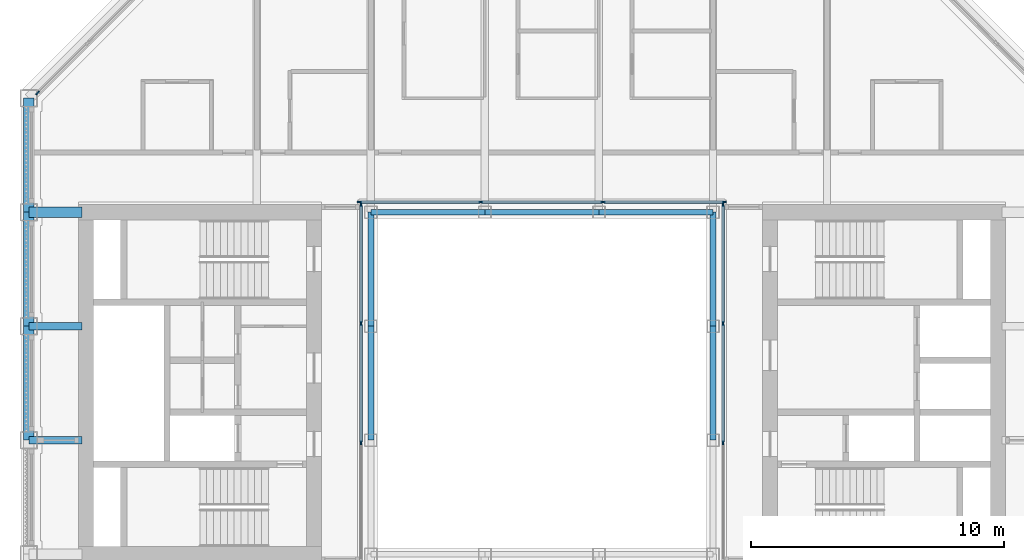
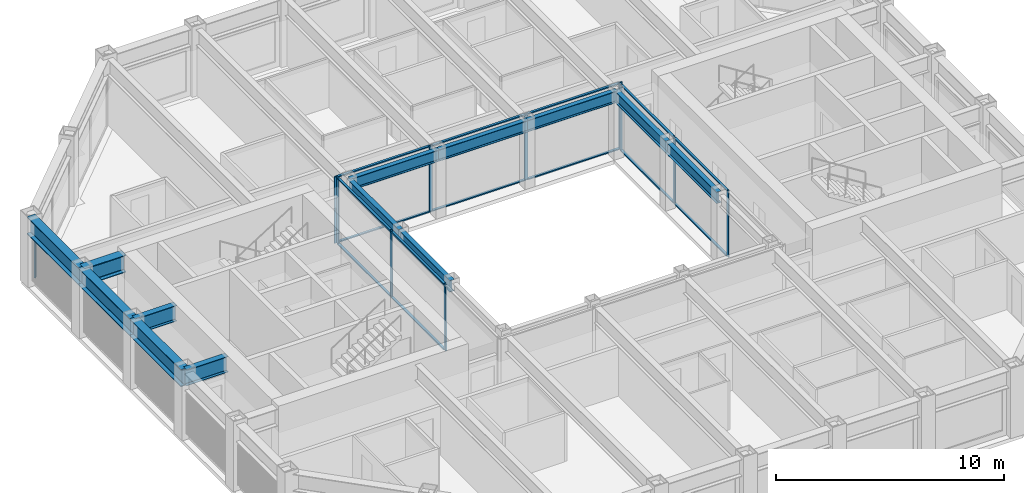
# One storey, part 4 of 17: 25 members, 13 beams, 4 elements without a shape of their own.
"""IFC4 building model written with IfcOpenShell, lengths in metres."""

from ifc_helpers import new_model, si_unit, direction, frame, origin, origin_2d, place, context, subcontext, project, spatial, rectangle, i_section, extrude, material, material_profile, profile_set, type_object, element, aggregate, save


model = new_model("IFC4")

# Units and contexts
model_context = context("Model", 3, precision=1e-05, world=origin(), true_north=direction((0.0, 1.0)))
body_context = subcontext(model_context, "Body", "Model", "MODEL_VIEW")
ifc_project = project(units=[si_unit("LENGTHUNIT", "METRE"), si_unit("AREAUNIT", "SQUARE_METRE"), si_unit("VOLUMEUNIT", "CUBIC_METRE"), si_unit("PLANEANGLEUNIT", "RADIAN"), si_unit("MASSUNIT", "GRAM", prefix="KILO")], contexts=[model_context])

# Site, building, storey
site_placement = place(None, origin())
site = spatial("IfcSite", under=ifc_project, at=site_placement, CompositionType="ELEMENT")
building_placement = place(site_placement, origin())
building = spatial("IfcBuilding", under=site, at=building_placement, Name="Msasa Ring Tower", CompositionType="ELEMENT")
storey_placement = place(building_placement, frame((0.0, 0.0, 238.300048828125)))
storey = spatial("IfcBuildingStorey", under=building, at=storey_placement, Name="L62", CompositionType="ELEMENT", Elevation=238.300048828125)

# Curtain wall, member
ifc_material_1 = material(Name="Aluminium curtain wall with clear glass", Category="aluminium")
curtain_wall_type_1 = type_object("IfcCurtainWallType", Name="CW-C CHAMFER CORNER CURTAIN WALL", PredefinedType="NOTDEFINED", material=ifc_material_1)
curtain_wall_1_placement = place(storey_placement, origin())
curtain_wall_1 = element("IfcCurtainWall", 1, at=curtain_wall_1_placement, inside=storey, type_object=curtain_wall_type_1, Name="Chamfer corner curtain wall NW L62", PredefinedType="NOTDEFINED")
ifc_material_2 = material(Name="Aluminium mullion", Category="aluminium")
ifc_material_profile_1 = material_profile(ifc_material_2, rectangle(XDim=0.06494140625, YDim=0.179931640625, at=origin_2d()), Name="AL 65x180")
ifc_profile_set_1 = profile_set([ifc_material_profile_1], Name="Aluminium mullion")
member_type_1 = type_object("IfcMemberType", Name="CW-C MULLION 65x180", PredefinedType="MULLION", material=ifc_profile_set_1)
member_1_placement = place(storey_placement, frame((-19.9052734375, 11.453369140625, 0.0), z_axis=(0.0, 0.0, 1.0), x_axis=(0.707106781187, -0.707106781187, 0.0)))
member_1 = element("IfcMember", 2, at=member_1_placement, type_object=member_type_1, Name="CW-C mullion 3", PredefinedType="MULLION", context=body_context, shape_type="SweptSolid", body=[
    extrude(rectangle(XDim=0.06494140625, YDim=0.179931640625, at=origin_2d()), origin(), (0.0, 0.0, 1.0), 2.62890625),
])
aggregate(curtain_wall_1, [member_1])

# Curtain wall, members
ifc_material_3 = material(Name="Aluminium curtain wall with clear glass", Category="aluminium")
curtain_wall_type_2 = type_object("IfcCurtainWallType", Name="CW-W LIGHT WELL CURTAIN WALL", PredefinedType="NOTDEFINED", material=ifc_material_3)
curtain_wall_2_placement = place(storey_placement, origin())
curtain_wall_2 = element("IfcCurtainWall", 3, at=curtain_wall_2_placement, inside=storey, type_object=curtain_wall_type_2, Name="Light well curtain wall N L62", PredefinedType="NOTDEFINED")
ifc_material_4 = material(Name="Aluminium mullion", Category="aluminium")
ifc_material_profile_2 = material_profile(ifc_material_4, rectangle(XDim=0.06005859375, YDim=0.159912109375, at=origin_2d()), Name="AL 60x160")
ifc_profile_set_2 = profile_set([ifc_material_profile_2], Name="Aluminium mullion")
member_type_2 = type_object("IfcMemberType", Name="CW-W MULLION 60x160", PredefinedType="MULLION", material=ifc_profile_set_2)
member_2_placement = place(storey_placement, frame((-7.199951171875, 7.14990234375, 0.0), z_axis=(0.0, 0.0, 1.0), x_axis=(0.0, 1.0, 0.0)))
member_2 = element("IfcMember", 4, at=member_2_placement, type_object=member_type_2, Name="CW-W mullion 1", PredefinedType="MULLION", context=body_context, shape_type="SweptSolid", body=[
    extrude(rectangle(XDim=0.06005859375, YDim=0.159912109375, at=origin_2d()), origin(), (0.0, 0.0, 1.0), 3.550048828125),
])
member_3_placement = place(storey_placement, frame((-2.409912109375, 7.14990234375, 0.0), z_axis=(0.0, 0.0, 1.0), x_axis=(0.0, 1.0, 0.0)))
member_3 = element("IfcMember", 5, at=member_3_placement, type_object=member_type_2, Name="CW-W mullion 2", PredefinedType="MULLION", context=body_context, shape_type="SweptSolid", body=[
    extrude(rectangle(XDim=0.06005859375, YDim=0.159912109375, at=origin_2d()), origin(), (0.0, 0.0, 1.0), 3.550048828125),
])
member_4_placement = place(storey_placement, frame((2.409912109375, 7.14990234375, 0.0), z_axis=(0.0, 0.0, 1.0), x_axis=(0.0, 1.0, 0.0)))
member_4 = element("IfcMember", 6, at=member_4_placement, type_object=member_type_2, Name="CW-W mullion 3", PredefinedType="MULLION", context=body_context, shape_type="SweptSolid", body=[
    extrude(rectangle(XDim=0.06005859375, YDim=0.159912109375, at=origin_2d()), origin(), (0.0, 0.0, 1.0), 3.550048828125),
])
member_5_placement = place(storey_placement, frame((7.199951171875, 7.14990234375, 0.0), z_axis=(0.0, 0.0, 1.0), x_axis=(0.0, 1.0, 0.0)))
member_5 = element("IfcMember", 7, at=member_5_placement, type_object=member_type_2, Name="CW-W mullion 4", PredefinedType="MULLION", context=body_context, shape_type="SweptSolid", body=[
    extrude(rectangle(XDim=0.06005859375, YDim=0.159912109375, at=origin_2d()), origin(), (0.0, 0.0, 1.0), 3.550048828125),
])

curtain_wall_3_placement = place(storey_placement, origin())
curtain_wall_3 = element("IfcCurtainWall", 8, at=curtain_wall_3_placement, inside=storey, type_object=curtain_wall_type_2, Name="Light well curtain wall E L62", PredefinedType="NOTDEFINED")
member_6_placement = place(storey_placement, frame((7.14990234375, -2.356689453125, 0.0), z_axis=(0.0, 0.0, 1.0), x_axis=(-1.0, 0.0, 0.0)))
member_6 = element("IfcMember", 9, at=member_6_placement, type_object=member_type_2, Name="CW-W mullion 2", PredefinedType="MULLION", context=body_context, shape_type="SweptSolid", body=[
    extrude(rectangle(XDim=0.06005859375, YDim=0.159912109375, at=origin_2d()), origin(), (0.0, 0.0, 1.0), 3.550048828125),
])
member_7_placement = place(storey_placement, frame((7.14990234375, 2.356689453125, 0.0), z_axis=(0.0, 0.0, 1.0), x_axis=(-1.0, 0.0, 0.0)))
member_7 = element("IfcMember", 10, at=member_7_placement, type_object=member_type_2, Name="CW-W mullion 3", PredefinedType="MULLION", context=body_context, shape_type="SweptSolid", body=[
    extrude(rectangle(XDim=0.06005859375, YDim=0.159912109375, at=origin_2d()), origin(), (0.0, 0.0, 1.0), 3.550048828125),
])
member_8_placement = place(storey_placement, frame((7.14990234375, 7.0400390625, 0.0), z_axis=(0.0, 0.0, 1.0), x_axis=(-1.0, 0.0, 0.0)))
member_8 = element("IfcMember", 11, at=member_8_placement, type_object=member_type_2, Name="CW-W mullion 4", PredefinedType="MULLION", context=body_context, shape_type="SweptSolid", body=[
    extrude(rectangle(XDim=0.06005859375, YDim=0.159912109375, at=origin_2d()), origin(), (0.0, 0.0, 1.0), 3.550048828125),
])

curtain_wall_4_placement = place(storey_placement, origin())
curtain_wall_4 = element("IfcCurtainWall", 12, at=curtain_wall_4_placement, inside=storey, type_object=curtain_wall_type_2, Name="Light well curtain wall W L62", PredefinedType="NOTDEFINED")
member_9_placement = place(storey_placement, frame((-7.14990234375, -2.356689453125, 0.0), z_axis=(0.0, 0.0, 1.0), x_axis=(-1.0, 0.0, 0.0)))
member_9 = element("IfcMember", 13, at=member_9_placement, type_object=member_type_2, Name="CW-W mullion 2", PredefinedType="MULLION", context=body_context, shape_type="SweptSolid", body=[
    extrude(rectangle(XDim=0.06005859375, YDim=0.159912109375, at=origin_2d()), origin(), (0.0, 0.0, 1.0), 3.550048828125),
])
member_10_placement = place(storey_placement, frame((-7.14990234375, 2.356689453125, 0.0), z_axis=(0.0, 0.0, 1.0), x_axis=(-1.0, 0.0, 0.0)))
member_10 = element("IfcMember", 14, at=member_10_placement, type_object=member_type_2, Name="CW-W mullion 3", PredefinedType="MULLION", context=body_context, shape_type="SweptSolid", body=[
    extrude(rectangle(XDim=0.06005859375, YDim=0.159912109375, at=origin_2d()), origin(), (0.0, 0.0, 1.0), 3.550048828125),
])
member_11_placement = place(storey_placement, frame((-7.14990234375, 7.0400390625, 0.0), z_axis=(0.0, 0.0, 1.0), x_axis=(-1.0, 0.0, 0.0)))
member_11 = element("IfcMember", 15, at=member_11_placement, type_object=member_type_2, Name="CW-W mullion 4", PredefinedType="MULLION", context=body_context, shape_type="SweptSolid", body=[
    extrude(rectangle(XDim=0.06005859375, YDim=0.159912109375, at=origin_2d()), origin(), (0.0, 0.0, 1.0), 3.550048828125),
])

# Member
ifc_material_5 = material(Name="Aluminium transom", Category="aluminium")
ifc_material_profile_3 = material_profile(ifc_material_5, rectangle(XDim=0.1201171875, YDim=0.06005859375, at=origin_2d()), Name="AL 60x120")
ifc_profile_set_3 = profile_set([ifc_material_profile_3], Name="Aluminium transom")
member_type_3 = type_object("IfcMemberType", Name="CW-W TRANSOM 60x120", PredefinedType="USERDEFINED", material=ifc_profile_set_3)
member_12_placement = place(storey_placement, frame((-7.169921875, 7.14990234375, 0.030029296875), z_axis=(1.0, 0.0, 0.0), x_axis=(0.0, 1.0, 0.0)))
member_12 = element("IfcMember", 16, at=member_12_placement, type_object=member_type_3, Name="CW-W transom 1.1", ObjectType="TRANSOM", PredefinedType="USERDEFINED", context=body_context, shape_type="SweptSolid", body=[
    extrude(rectangle(XDim=0.1201171875, YDim=0.06005859375, at=origin_2d()), origin(), (0.0, 0.0, 1.0), 4.72998046875),
])

member_13_placement = place(storey_placement, frame((-7.169921875, 7.14990234375, 3.52001953125), z_axis=(1.0, 0.0, 0.0), x_axis=(0.0, 1.0, 0.0)))
member_13 = element("IfcMember", 17, at=member_13_placement, type_object=member_type_3, Name="CW-W transom 1.2", ObjectType="TRANSOM", PredefinedType="USERDEFINED", context=body_context, shape_type="SweptSolid", body=[
    extrude(rectangle(XDim=0.1201171875, YDim=0.06005859375, at=origin_2d()), origin(), (0.0, 0.0, 1.0), 4.72998046875),
])

member_14_placement = place(storey_placement, frame((-2.3798828125, 7.14990234375, 0.030029296875), z_axis=(1.0, 0.0, 0.0), x_axis=(0.0, 1.0, 0.0)))
member_14 = element("IfcMember", 18, at=member_14_placement, type_object=member_type_3, Name="CW-W transom 2.1", ObjectType="TRANSOM", PredefinedType="USERDEFINED", context=body_context, shape_type="SweptSolid", body=[
    extrude(rectangle(XDim=0.1201171875, YDim=0.06005859375, at=origin_2d()), origin(), (0.0, 0.0, 1.0), 4.759765625),
])

member_15_placement = place(storey_placement, frame((-2.3798828125, 7.14990234375, 3.52001953125), z_axis=(1.0, 0.0, 0.0), x_axis=(0.0, 1.0, 0.0)))
member_15 = element("IfcMember", 19, at=member_15_placement, type_object=member_type_3, Name="CW-W transom 2.2", ObjectType="TRANSOM", PredefinedType="USERDEFINED", context=body_context, shape_type="SweptSolid", body=[
    extrude(rectangle(XDim=0.1201171875, YDim=0.06005859375, at=origin_2d()), origin(), (0.0, 0.0, 1.0), 4.759765625),
])

member_16_placement = place(storey_placement, frame((2.43994140625, 7.14990234375, 0.030029296875), z_axis=(1.0, 0.0, 0.0), x_axis=(0.0, 1.0, 0.0)))
member_16 = element("IfcMember", 20, at=member_16_placement, type_object=member_type_3, Name="CW-W transom 3.1", ObjectType="TRANSOM", PredefinedType="USERDEFINED", context=body_context, shape_type="SweptSolid", body=[
    extrude(rectangle(XDim=0.1201171875, YDim=0.06005859375, at=origin_2d()), origin(), (0.0, 0.0, 1.0), 4.72998046875),
])

member_17_placement = place(storey_placement, frame((2.43994140625, 7.14990234375, 3.52001953125), z_axis=(1.0, 0.0, 0.0), x_axis=(0.0, 1.0, 0.0)))
member_17 = element("IfcMember", 21, at=member_17_placement, type_object=member_type_3, Name="CW-W transom 3.2", ObjectType="TRANSOM", PredefinedType="USERDEFINED", context=body_context, shape_type="SweptSolid", body=[
    extrude(rectangle(XDim=0.1201171875, YDim=0.06005859375, at=origin_2d()), origin(), (0.0, 0.0, 1.0), 4.72998046875),
])

aggregate(curtain_wall_2, [member_2, member_3, member_4, member_5, member_12, member_13, member_14, member_15, member_16, member_17])

member_18_placement = place(storey_placement, frame((7.14990234375, -2.32666015625, 0.030029296875), z_axis=(0.0, 1.0, 0.0), x_axis=(-1.0, 0.0, 0.0)))
member_18 = element("IfcMember", 22, at=member_18_placement, type_object=member_type_3, Name="CW-W transom 2.1", ObjectType="TRANSOM", PredefinedType="USERDEFINED", context=body_context, shape_type="SweptSolid", body=[
    extrude(rectangle(XDim=0.1201171875, YDim=0.06005859375, at=origin_2d()), origin(), (0.0, 0.0, 1.0), 4.6533203125),
])

member_19_placement = place(storey_placement, frame((7.14990234375, -2.32666015625, 3.52001953125), z_axis=(0.0, 1.0, 0.0), x_axis=(-1.0, 0.0, 0.0)))
member_19 = element("IfcMember", 23, at=member_19_placement, type_object=member_type_3, Name="CW-W transom 2.2", ObjectType="TRANSOM", PredefinedType="USERDEFINED", context=body_context, shape_type="SweptSolid", body=[
    extrude(rectangle(XDim=0.1201171875, YDim=0.06005859375, at=origin_2d()), origin(), (0.0, 0.0, 1.0), 4.6533203125),
])

member_20_placement = place(storey_placement, frame((7.14990234375, 2.38671875, 0.030029296875), z_axis=(0.0, 1.0, 0.0), x_axis=(-1.0, 0.0, 0.0)))
member_20 = element("IfcMember", 24, at=member_20_placement, type_object=member_type_3, Name="CW-W transom 3.1", ObjectType="TRANSOM", PredefinedType="USERDEFINED", context=body_context, shape_type="SweptSolid", body=[
    extrude(rectangle(XDim=0.1201171875, YDim=0.06005859375, at=origin_2d()), origin(), (0.0, 0.0, 1.0), 4.623291015625),
])

member_21_placement = place(storey_placement, frame((7.14990234375, 2.38671875, 3.52001953125), z_axis=(0.0, 1.0, 0.0), x_axis=(-1.0, 0.0, 0.0)))
member_21 = element("IfcMember", 25, at=member_21_placement, type_object=member_type_3, Name="CW-W transom 3.2", ObjectType="TRANSOM", PredefinedType="USERDEFINED", context=body_context, shape_type="SweptSolid", body=[
    extrude(rectangle(XDim=0.1201171875, YDim=0.06005859375, at=origin_2d()), origin(), (0.0, 0.0, 1.0), 4.623291015625),
])

aggregate(curtain_wall_3, [member_6, member_7, member_8, member_18, member_19, member_20, member_21])

member_22_placement = place(storey_placement, frame((-7.14990234375, -2.32666015625, 0.030029296875), z_axis=(0.0, 1.0, 0.0), x_axis=(-1.0, 0.0, 0.0)))
member_22 = element("IfcMember", 26, at=member_22_placement, type_object=member_type_3, Name="CW-W transom 2.1", ObjectType="TRANSOM", PredefinedType="USERDEFINED", context=body_context, shape_type="SweptSolid", body=[
    extrude(rectangle(XDim=0.1201171875, YDim=0.06005859375, at=origin_2d()), origin(), (0.0, 0.0, 1.0), 4.6533203125),
])

member_23_placement = place(storey_placement, frame((-7.14990234375, -2.32666015625, 3.52001953125), z_axis=(0.0, 1.0, 0.0), x_axis=(-1.0, 0.0, 0.0)))
member_23 = element("IfcMember", 27, at=member_23_placement, type_object=member_type_3, Name="CW-W transom 2.2", ObjectType="TRANSOM", PredefinedType="USERDEFINED", context=body_context, shape_type="SweptSolid", body=[
    extrude(rectangle(XDim=0.1201171875, YDim=0.06005859375, at=origin_2d()), origin(), (0.0, 0.0, 1.0), 4.6533203125),
])

member_24_placement = place(storey_placement, frame((-7.14990234375, 2.38671875, 0.030029296875), z_axis=(0.0, 1.0, 0.0), x_axis=(-1.0, 0.0, 0.0)))
member_24 = element("IfcMember", 28, at=member_24_placement, type_object=member_type_3, Name="CW-W transom 3.1", ObjectType="TRANSOM", PredefinedType="USERDEFINED", context=body_context, shape_type="SweptSolid", body=[
    extrude(rectangle(XDim=0.1201171875, YDim=0.06005859375, at=origin_2d()), origin(), (0.0, 0.0, 1.0), 4.623291015625),
])

member_25_placement = place(storey_placement, frame((-7.14990234375, 2.38671875, 3.52001953125), z_axis=(0.0, 1.0, 0.0), x_axis=(-1.0, 0.0, 0.0)))
member_25 = element("IfcMember", 29, at=member_25_placement, type_object=member_type_3, Name="CW-W transom 3.2", ObjectType="TRANSOM", PredefinedType="USERDEFINED", context=body_context, shape_type="SweptSolid", body=[
    extrude(rectangle(XDim=0.1201171875, YDim=0.06005859375, at=origin_2d()), origin(), (0.0, 0.0, 1.0), 4.623291015625),
])

aggregate(curtain_wall_4, [member_9, member_10, member_11, member_22, member_23, member_24, member_25])

# Beams
ifc_material_6 = material(Name="Steel S355", Category="steel")
ifc_material_profile_4 = material_profile(ifc_material_6, i_section(OverallWidth=0.293701171875, OverallDepth=0.850830078125, WebThickness=0.01611328125, FlangeThickness=0.02685546875, FilletRadius=0.017822265625, at=origin_2d()), Name="UB 838x292x226")
ifc_profile_set_4 = profile_set([ifc_material_profile_4], Name="Steel S355")
beam_type_1 = type_object("IfcBeamType", Name="FB5 UB 838x292x226", PredefinedType="BEAM", material=ifc_profile_set_4)
for number, where, z_axis, x_axis, name in (
    (30, (-20.25, -2.25, 3.12451171875), (1.0, 0.0, 0.0), (0.0, 1.0, 0.0), "Floor beam W -2.25 under L63"),
    (31, (-20.25, 2.25, 3.12451171875), (1.0, 0.0, 0.0), (0.0, 1.0, 0.0), "Floor beam W +2.25 under L63"),
):
    element("IfcBeam", number, at=place(storey_placement, frame(where, z_axis=z_axis, x_axis=x_axis)), inside=storey, type_object=beam_type_1, Name=name, PredefinedType="BEAM", context=body_context, shape_type="SweptSolid", body=[
        extrude(i_section(OverallWidth=0.293701171875, OverallDepth=0.850830078125, WebThickness=0.01611328125, FlangeThickness=0.02685546875, FilletRadius=0.017822265625, at=origin_2d()), origin(), (0.0, 0.0, 1.0), 2.10009765625),
    ])
ifc_material_7 = material(Name="Steel S355", Category="steel")
ifc_material_profile_5 = material_profile(ifc_material_7, i_section(OverallWidth=0.42041015625, OverallDepth=0.9208984375, WebThickness=0.021484375, FlangeThickness=0.03662109375, FilletRadius=0.024169921875, at=origin_2d()), Name="UB 914x419x388")
ifc_profile_set_5 = profile_set([ifc_material_profile_5], Name="Steel S355")
beam_type_2 = type_object("IfcBeamType", Name="GB1 UB 914x419x388", PredefinedType="BEAM", material=ifc_profile_set_5)
beam_placement = place(storey_placement, frame((-18.14990234375, 6.75, 3.08935546875), z_axis=(-1.0, 0.0, 0.0), x_axis=(0.0, -1.0, 0.0)))
element("IfcBeam", 32, at=beam_placement, inside=storey, type_object=beam_type_2, Name="Girder W +6.75 under L63", PredefinedType="BEAM", context=body_context, shape_type="SweptSolid", body=[
    extrude(i_section(OverallWidth=0.42041015625, OverallDepth=0.9208984375, WebThickness=0.021484375, FlangeThickness=0.03662109375, FilletRadius=0.024169921875, at=origin_2d()), origin(), (0.0, 0.0, 1.0), 2.10009765625),
])
ifc_material_8 = material(Name="Steel S355", Category="steel")
ifc_material_profile_6 = material_profile(ifc_material_8, i_section(OverallWidth=0.230224609375, OverallDepth=0.6171875, WebThickness=0.01318359375, FlangeThickness=0.022216796875, FilletRadius=0.0126953125, at=origin_2d()), Name="UB 610x229x140")
ifc_profile_set_6 = profile_set([ifc_material_profile_6], Name="Steel S355")
beam_type_3 = type_object("IfcBeamType", Name="RB1 UB 610x229x140", PredefinedType="BEAM", material=ifc_profile_set_6)
for number, where, z_axis, x_axis, name in (
    (33, (6.75, -2.25, 3.241455078125), (0.0, 1.0, 0.0), (-1.0, 0.0, 0.0), "Inner ring beam IR+6.75-2.25 under L63"),
    (34, (6.75, 2.25, 3.241455078125), (0.0, 1.0, 0.0), (-1.0, 0.0, 0.0), "Inner ring beam IR+6.75+2.25 under L63"),
    (35, (6.75, 6.75, 3.241455078125), (-1.0, 0.0, 0.0), (0.0, -1.0, 0.0), "Inner ring beam IR+6.75+6.75 under L63"),
    (36, (2.25, 6.75, 3.241455078125), (-1.0, 0.0, 0.0), (0.0, -1.0, 0.0), "Inner ring beam IR+2.25+6.75 under L63"),
    (37, (-2.25, 6.75, 3.241455078125), (-1.0, 0.0, 0.0), (0.0, -1.0, 0.0), "Inner ring beam IR-2.25+6.75 under L63"),
    (38, (-6.75, 6.75, 3.241455078125), (0.0, -1.0, 0.0), (1.0, 0.0, 0.0), "Inner ring beam IR-6.75+6.75 under L63"),
    (39, (-6.75, 2.25, 3.241455078125), (0.0, -1.0, 0.0), (1.0, 0.0, 0.0), "Inner ring beam IR-6.75+2.25 under L63"),
):
    element("IfcBeam", number, at=place(storey_placement, frame(where, z_axis=z_axis, x_axis=x_axis)), inside=storey, type_object=beam_type_3, Name=name, PredefinedType="BEAM", context=body_context, shape_type="SweptSolid", body=[
        extrude(i_section(OverallWidth=0.230224609375, OverallDepth=0.6171875, WebThickness=0.01318359375, FlangeThickness=0.022216796875, FilletRadius=0.0126953125, at=origin_2d()), origin(), (0.0, 0.0, 1.0), 4.5),
    ])
ifc_material_9 = material(Name="Steel S355", Category="steel")
ifc_material_profile_7 = material_profile(ifc_material_9, i_section(OverallWidth=0.42041015625, OverallDepth=0.9208984375, WebThickness=0.021484375, FlangeThickness=0.03662109375, FilletRadius=0.024169921875, at=origin_2d()), Name="UB 914x419x388")
ifc_profile_set_7 = profile_set([ifc_material_profile_7], Name="Steel S355")
beam_type_4 = type_object("IfcBeamType", Name="SB1 UB 914x419x388", PredefinedType="SPANDREL", material=ifc_profile_set_7)
for number, where, z_axis, x_axis, name in (
    (40, (-20.25, 11.25, 3.08935546875), (0.0, -1.0, 0.0), (1.0, 0.0, 0.0), "Spandrel W+11.25 to W+6.75 under L63"),
    (41, (-20.25, 6.75, 3.08935546875), (0.0, -1.0, 0.0), (1.0, 0.0, 0.0), "Spandrel W+6.75 to W+2.25 under L63"),
    (42, (-20.25, 2.25, 3.08935546875), (0.0, -1.0, 0.0), (1.0, 0.0, 0.0), "Spandrel W+2.25 to W-2.25 under L63"),
):
    element("IfcBeam", number, at=place(storey_placement, frame(where, z_axis=z_axis, x_axis=x_axis)), inside=storey, type_object=beam_type_4, Name=name, PredefinedType="SPANDREL", context=body_context, shape_type="SweptSolid", body=[
        extrude(i_section(OverallWidth=0.42041015625, OverallDepth=0.9208984375, WebThickness=0.021484375, FlangeThickness=0.03662109375, FilletRadius=0.024169921875, at=origin_2d()), origin(), (0.0, 0.0, 1.0), 4.5),
    ])

save(model, "model.ifc")
